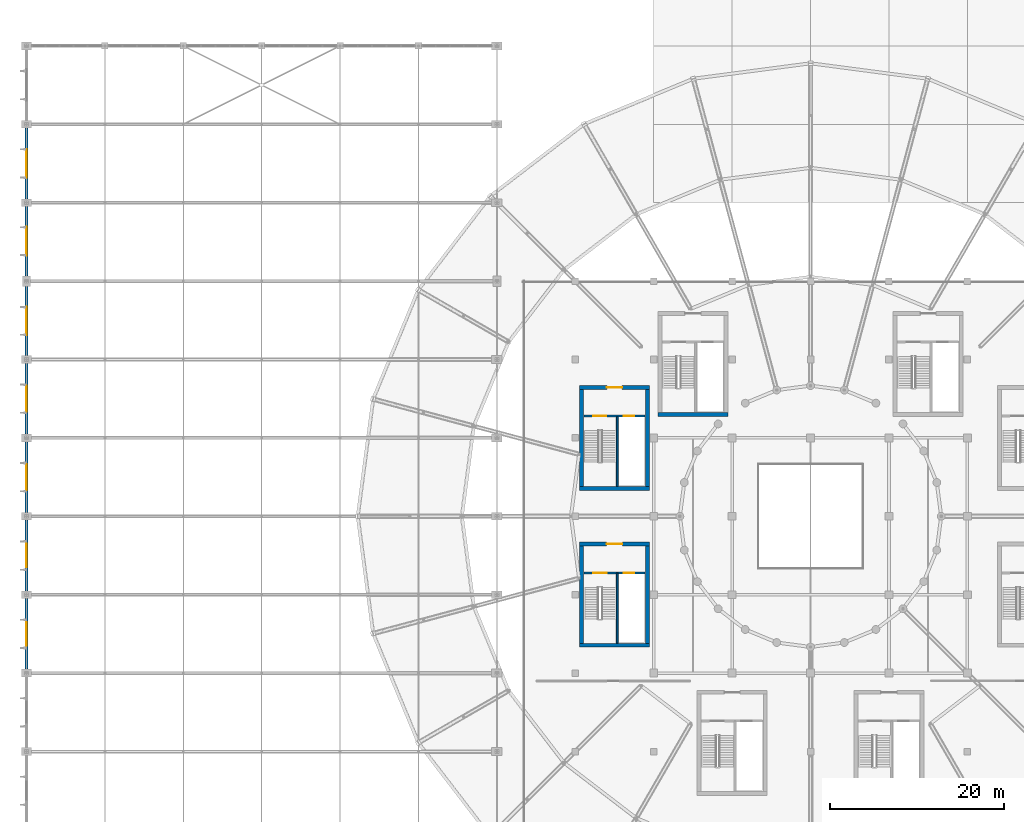
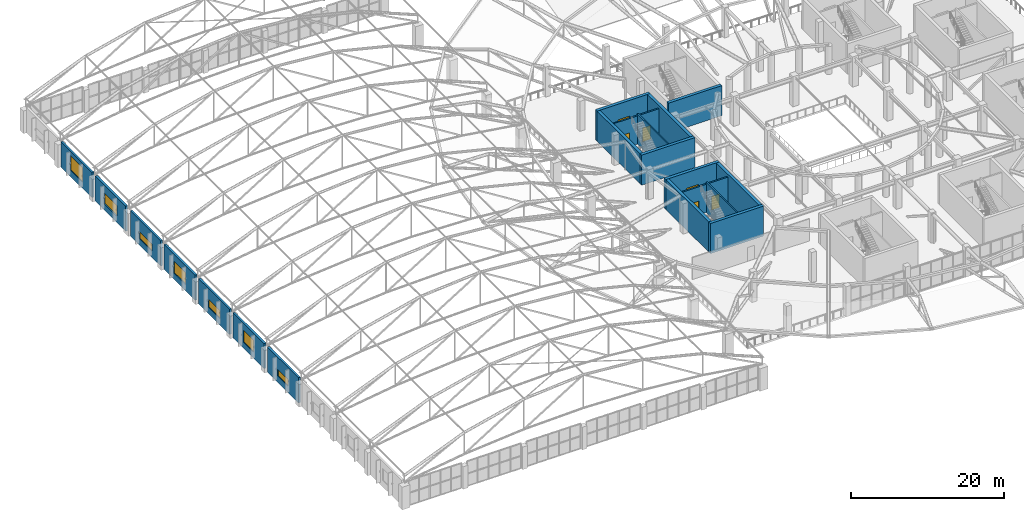
# One storey, part 140 of 167: 20 walls, 7 windows, 6 doors, 13 openings.
"""IFC4 building model written with IfcOpenShell, lengths in metres."""

import ifcopenshell
import ifcopenshell.guid

model = None  # the IFC model being written
_history = None  # IfcOwnerHistory: only IFC2X3 demands one
_inside = {}  # id of a spatial element -> (the spatial element, [elements in it])
_under = {}  # id of a project, library or spatial element -> (it, [spatial elements below it])
_declared = {}  # id of a project -> (the project, [libraries it declares])
_typed = {}  # id of a type object -> (the type object, [elements of that type])
_made_of = {}  # id of a material, layer set ... -> (it, [elements and type objects made of it])


def new_model(schema):
    """Start an empty IFC model of exactly this schema.

    Asked for "IFC4X3", IfcOpenShell would pick the latest addendum, in which some entities
    have other attributes; the version numbers below select the first issue.
    IFC2X3 requires an IfcOwnerHistory on every rooted entity: one is made here for all.
    """
    global model, _history
    if schema == "IFC4X3":
        model = ifcopenshell.file(schema_version=(4, 3, 0, 0))
    else:
        model = ifcopenshell.file(schema=schema)
    _inside.clear()
    _under.clear()
    _declared.clear()
    _typed.clear()
    _made_of.clear()
    _history = None
    if model.schema == "IFC2X3":
        org = make("IfcOrganization", Name="unknown")
        user = make(
            "IfcPersonAndOrganization",
            ThePerson=make("IfcPerson", FamilyName="unknown"),
            TheOrganization=org,
        )
        app = make(
            "IfcApplication",
            ApplicationDeveloper=org,
            Version="unknown",
            ApplicationFullName="unknown",
            ApplicationIdentifier="unknown",
        )
        _history = make(
            "IfcOwnerHistory",
            OwningUser=user,
            OwningApplication=app,
            ChangeAction="ADDED",
            CreationDate=0,
        )
    return model


def make(cls, **values):
    """One entity of the class cls with the attributes given. An attribute that is None is left unset."""
    return model.create_entity(
        cls, **{name: value for name, value in values.items() if value is not None}
    )


def rooted(cls, **values):
    """An entity with a GlobalId (a new one), such as an element, a storey or a relation."""
    return make(cls, GlobalId=ifcopenshell.guid.new(), OwnerHistory=_history, **values)


def si_unit(unit_type, name, prefix=None):
    """IfcSIUnit, for example si_unit("LENGTHUNIT", "METRE", prefix="MILLI")."""
    return make("IfcSIUnit", UnitType=unit_type, Prefix=prefix, Name=name)


def assignment(units):
    """IfcUnitAssignment: the units of a project."""
    return None if units is None else make("IfcUnitAssignment", Units=units)


def point(xyz):
    """IfcCartesianPoint."""
    return None if xyz is None else make("IfcCartesianPoint", Coordinates=xyz)


def direction(xyz):
    """IfcDirection."""
    return None if xyz is None else make("IfcDirection", DirectionRatios=xyz)


def frame(location, z_axis=None, x_axis=None):
    """IfcAxis2Placement3D, a coordinate frame: its origin and axes. An axis left out is left unset."""
    return make(
        "IfcAxis2Placement3D",
        Location=point(location),
        Axis=direction(z_axis),
        RefDirection=direction(x_axis),
    )


def frame_2d(location, x_axis=None):
    """IfcAxis2Placement2D, a coordinate frame in the plane: its origin and x axis."""
    return make(
        "IfcAxis2Placement2D", Location=point(location), RefDirection=direction(x_axis)
    )


def origin():
    """The frame at (0, 0, 0) with its axes left unset."""
    return frame((0.0, 0.0, 0.0))


def place(relative_to, where):
    """IfcLocalPlacement: puts the frame where relative to a parent placement (None: the world)."""
    return make(
        "IfcLocalPlacement", PlacementRelTo=relative_to, RelativePlacement=where
    )


def context(
    kind, dimensions, precision=None, world=None, true_north=None, identifier=None
):
    """IfcGeometricRepresentationContext, for example the 3D "Model" context."""
    return make(
        "IfcGeometricRepresentationContext",
        ContextIdentifier=identifier,
        ContextType=kind,
        CoordinateSpaceDimension=dimensions,
        Precision=precision,
        WorldCoordinateSystem=world,
        TrueNorth=true_north,
    )


def subcontext(parent, identifier, kind, view, scale=None):
    """IfcGeometricRepresentationSubContext, for example "Body" below "Model"."""
    return make(
        "IfcGeometricRepresentationSubContext",
        ContextIdentifier=identifier,
        ContextType=kind,
        ParentContext=parent,
        TargetScale=scale,
        TargetView=view,
    )


def project(units=None, contexts=None):
    """IfcProject with its units and contexts."""
    return rooted(
        "IfcProject",
        Name="project",
        RepresentationContexts=contexts,
        UnitsInContext=assignment(units),
    )


def spatial(cls, under=None, at=None, **own):
    """A site, building, storey or space (cls), placed at a placement, below another one or the project."""
    s = rooted(cls, ObjectPlacement=at, **own)
    if under is not None:
        _under.setdefault(under.id(), (under, []))[1].append(s)
    return s


def profile(cls, at=None, kind="AREA", **sizes):
    """A parametric profile (cls). Its sizes go by their IFC names, for example OverallWidth=200.0."""
    return make(cls, ProfileType=kind, Position=at, **sizes)


def rectangle(**sizes):
    """IfcRectangleProfileDef."""
    return profile("IfcRectangleProfileDef", **sizes)


def extrude(swept, where, along, depth):
    """IfcExtrudedAreaSolid: the profile swept, set in the frame where, extruded along a direction by depth."""
    return make(
        "IfcExtrudedAreaSolid",
        SweptArea=swept,
        Position=where,
        ExtrudedDirection=direction(along),
        Depth=depth,
    )


def shape(context_of_items, identifier, shape_type, items):
    """IfcShapeRepresentation: the items that make up one representation, for example the "Body"."""
    return make(
        "IfcShapeRepresentation",
        ContextOfItems=context_of_items,
        RepresentationIdentifier=identifier,
        RepresentationType=shape_type,
        Items=items,
    )


def material(Name=None, Category=None):
    """IfcMaterial."""
    return make("IfcMaterial", Name=Name, Category=Category)


def layer(
    of_material, thickness, ventilated=None, Name=None, Category=None, Priority=None
):
    """IfcMaterialLayer: one layer of a wall or slab, of a material (None: an air gap)."""
    return make(
        "IfcMaterialLayer",
        Material=of_material,
        LayerThickness=thickness,
        IsVentilated=ventilated,
        Name=Name,
        Category=Category,
        Priority=Priority,
    )


def layer_set(layers, Name=None):
    """IfcMaterialLayerSet."""
    return make("IfcMaterialLayerSet", MaterialLayers=layers, LayerSetName=Name)


def made_of(thing, what):
    """Note that an element or type object is made of a material, layer set ...; save() writes the relation."""
    if what is not None:
        _made_of.setdefault(what.id(), (what, []))[1].append(thing)
    return thing


def type_object(cls, material=None, **own):
    """A type object (cls), such as IfcWallType, which elements share."""
    return made_of(rooted(cls, **own), material)


def element(
    cls,
    number,
    at=None,
    inside=None,
    cuts=None,
    type_object=None,
    material=None,
    context=None,
    identifier="Body",
    shape_type=None,
    held_by="IfcProductDefinitionShape",
    body=None,
    shapes=None,
    **own,
):
    """One element of the class cls, such as IfcWall. Its Tag is "e" and its number.

    at: its placement. inside: the storey or other place that contains it. cuts: it is an
    opening in that element (IfcRelVoidsElement). A single representation is given by context,
    identifier, shape_type and body (its items); several are given by shapes. held_by: the class
    of the entity that holds the representations. save() writes the other relations.
    """
    e = rooted(cls, Tag="e%d" % number, ObjectPlacement=at, **own)
    if body is not None:
        shapes = [shape(context, identifier, shape_type, body)]
    if shapes is not None:
        e.Representation = make(held_by, Representations=shapes)
    if inside is not None:
        _inside.setdefault(inside.id(), (inside, []))[1].append(e)
    if cuts is not None:
        rooted(
            "IfcRelVoidsElement", RelatingBuildingElement=cuts, RelatedOpeningElement=e
        )
    if type_object is not None:
        _typed.setdefault(type_object.id(), (type_object, []))[1].append(e)
    return made_of(e, material)


def fill(opening, filler):
    """IfcRelFillsElement: the door or window that sits in an opening."""
    return rooted(
        "IfcRelFillsElement",
        RelatingOpeningElement=opening,
        RelatedBuildingElement=filler,
    )


def aggregate(whole, parts):
    """IfcRelAggregates: a whole, such as a stair, and the parts it consists of."""
    return rooted("IfcRelAggregates", RelatingObject=whole, RelatedObjects=parts)


def save(model, path):
    """Write the relations noted so far, then the file.

    IfcRelAggregates (storeys below a building ...), IfcRelContainedInSpatialStructure (elements
    in a storey), IfcRelDefinesByType, IfcRelAssociatesMaterial and IfcRelDeclares: one each for
    every whole, place, type object, material and project.
    """
    for whole, parts in _under.values():
        aggregate(whole, parts)
    for where, things in _inside.values():
        rooted(
            "IfcRelContainedInSpatialStructure",
            RelatedElements=things,
            RelatingStructure=where,
        )
    for kind, things in _typed.values():
        rooted("IfcRelDefinesByType", RelatedObjects=things, RelatingType=kind)
    for what, things in _made_of.values():
        rooted("IfcRelAssociatesMaterial", RelatedObjects=things, RelatingMaterial=what)
    for by, libraries in _declared.values():
        rooted("IfcRelDeclares", RelatingContext=by, RelatedDefinitions=libraries)
    model.write(path)


model = new_model("IFC4")

# Units and contexts
model_context = context("Model", 3, precision=1e-05, world=origin(), true_north=direction((0.0, 1.0)))
body_context = subcontext(model_context, "Body", "Model", "MODEL_VIEW")
ifc_project = project(units=[si_unit("LENGTHUNIT", "METRE"), si_unit("AREAUNIT", "SQUARE_METRE"), si_unit("VOLUMEUNIT", "CUBIC_METRE"), si_unit("PLANEANGLEUNIT", "RADIAN"), si_unit("MASSUNIT", "GRAM", prefix="KILO")], contexts=[model_context])

# Site, building, storey
site_placement = place(None, origin())
site = spatial("IfcSite", under=ifc_project, at=site_placement, CompositionType="ELEMENT")
building_placement = place(site_placement, origin())
building = spatial("IfcBuilding", under=site, at=building_placement, Name="Dornveld Trade and Exhibition Forum", CompositionType="ELEMENT")
storey_placement = place(building_placement, frame((0.0, 0.0, 16.800048828125)))
storey = spatial("IfcBuildingStorey", under=building, at=storey_placement, Name="L03", CompositionType="ELEMENT", Elevation=16.800048828125)

# Walls
ifc_material_1 = material(Name="Concrete C40/50", Category="concrete")
ifc_layer_1 = layer(ifc_material_1, 0.449951171875)
ifc_layer_set_1 = layer_set([ifc_layer_1], Name="Concrete C40/50")
wall_type_1 = type_object("IfcWallType", Name="WL-CORE-450", PredefinedType="SHEAR", material=ifc_layer_set_1)
for number, where, z_axis, x_axis, name in (
    (1, (99.47509765625, 92.699951171875, 0.0), (0.0, 0.0, 1.0), (1.0, 0.0, 0.0), "CORE-03 L03 shear wall S"),
    (2, (90.47509765625, 84.199951171875, 0.0), (0.0, 0.0, 1.0), (1.0, 0.0, 0.0), "CORE-04 L03 shear wall S"),
):
    element("IfcWall", number, at=place(storey_placement, frame(where, z_axis=z_axis, x_axis=x_axis)), inside=storey, type_object=wall_type_1, Name=name, PredefinedType="SHEAR", context=body_context, shape_type="SweptSolid", body=[
        extrude(rectangle(XDim=8.0498046875, YDim=0.449951171875, at=frame_2d((4.02490234375, 0.0))), origin(), (0.0, 0.0, 1.0), 4.800048828125),
    ])

# Wall, opening, door
wall_1_placement = place(storey_placement, frame((90.47509765625, 95.800048828125, 0.0), z_axis=(0.0, 0.0, 1.0), x_axis=(1.0, 0.0, 0.0)))
wall_1 = element("IfcWall", 3, at=wall_1_placement, inside=storey, type_object=wall_type_1, Name="CORE-04 L03 shear wall N", PredefinedType="SHEAR", context=body_context, shape_type="SweptSolid", body=[
    extrude(rectangle(XDim=8.0498046875, YDim=0.449951171875, at=frame_2d((4.02490234375, 0.0))), origin(), (0.0, 0.0, 1.0), 4.800048828125),
])
opening_1_placement = place(wall_1_placement, frame((3.14990234375, 0.0, 0.0)))
opening_1 = element("IfcOpeningElement", 4, at=opening_1_placement, cuts=wall_1, Name="Opening CD-04-L03", PredefinedType="OPENING", context=body_context, shape_type="SweptSolid", body=[
    extrude(rectangle(XDim=1.75, YDim=2.300048828125, at=frame_2d((0.875, 1.14990234375))), frame((0.0, 0.23486328125, 0.0), z_axis=(0.0, -1.0, 0.0), x_axis=(1.0, 0.0, 0.0)), (0.0, 0.0, 1.0), 0.469970703125),
])
ifc_material_2 = material(Name="Steel fire-rated double door assembly", Category="steel")
door_type_1 = type_object("IfcDoorType", Name="DR-CORE-175x230", OperationType="NOTDEFINED", PredefinedType="DOOR", material=ifc_material_2)
door_1_placement = place(opening_1_placement, origin())
door_1 = element("IfcDoor", 5, at=door_1_placement, inside=storey, type_object=door_type_1, Name="CORE-04 L03 core lobby double fire door", OperationType="DOUBLE_DOOR_SINGLE_SWING", OverallHeight=2.300048828125, OverallWidth=1.75, PredefinedType="DOOR", context=body_context, shape_type="SweptSolid", body=[
    extrude(rectangle(XDim=1.75, YDim=2.300048828125, at=frame_2d((0.875, 1.14990234375))), frame((0.0, 0.02490234375, 0.0), z_axis=(0.0, -1.0, 0.0), x_axis=(1.0, 0.0, 0.0)), (0.0, 0.0, 1.0), 0.050048828125),
])
fill(opening_1, door_1)

# Walls
for number, where, z_axis, x_axis, name in (
    (6, (90.699951171875, 84.425048828125, 0.0), (0.0, 0.0, 1.0), (0.0, 1.0, 0.0), "CORE-04 L03 shear wall W"),
    (7, (98.300048828125, 84.425048828125, 0.0), (0.0, 0.0, 1.0), (0.0, 1.0, 0.0), "CORE-04 L03 shear wall E"),
):
    element("IfcWall", number, at=place(storey_placement, frame(where, z_axis=z_axis, x_axis=x_axis)), inside=storey, type_object=wall_type_1, Name=name, PredefinedType="SHEAR", context=body_context, shape_type="SweptSolid", body=[
        extrude(rectangle(XDim=11.14990234375, YDim=0.449951171875, at=frame_2d((5.574951171875, 0.0))), origin(), (0.0, 0.0, 1.0), 4.800048828125),
    ])
wall_2_placement = place(storey_placement, frame((90.47509765625, 66.199951171875, 0.0), z_axis=(0.0, 0.0, 1.0), x_axis=(1.0, 0.0, 0.0)))
element("IfcWall", 8, at=wall_2_placement, inside=storey, type_object=wall_type_1, Name="CORE-05 L03 shear wall S", PredefinedType="SHEAR", context=body_context, shape_type="SweptSolid", body=[
    extrude(rectangle(XDim=8.0498046875, YDim=0.449951171875, at=frame_2d((4.02490234375, 0.0))), origin(), (0.0, 0.0, 1.0), 4.800048828125),
])

# Wall, opening, door
wall_3_placement = place(storey_placement, frame((90.47509765625, 77.800048828125, 0.0), z_axis=(0.0, 0.0, 1.0), x_axis=(1.0, 0.0, 0.0)))
wall_3 = element("IfcWall", 9, at=wall_3_placement, inside=storey, type_object=wall_type_1, Name="CORE-05 L03 shear wall N", PredefinedType="SHEAR", context=body_context, shape_type="SweptSolid", body=[
    extrude(rectangle(XDim=8.0498046875, YDim=0.449951171875, at=frame_2d((4.02490234375, 0.0))), origin(), (0.0, 0.0, 1.0), 4.800048828125),
])
opening_2_placement = place(wall_3_placement, frame((3.125, 0.0, 0.0)))
opening_2 = element("IfcOpeningElement", 10, at=opening_2_placement, cuts=wall_3, Name="Opening CD-05-L03", PredefinedType="OPENING", context=body_context, shape_type="SweptSolid", body=[
    extrude(rectangle(XDim=1.800048828125, YDim=2.300048828125, at=frame_2d((0.89990234375, 1.14990234375))), frame((0.0, 0.23486328125, 0.0), z_axis=(0.0, -1.0, 0.0), x_axis=(1.0, 0.0, 0.0)), (0.0, 0.0, 1.0), 0.469970703125),
])
ifc_material_3 = material(Name="Steel fire-rated double door assembly", Category="steel")
door_type_2 = type_object("IfcDoorType", Name="DR-CORE-180x230", OperationType="NOTDEFINED", PredefinedType="DOOR", material=ifc_material_3)
door_2_placement = place(opening_2_placement, origin())
door_2 = element("IfcDoor", 11, at=door_2_placement, inside=storey, type_object=door_type_2, Name="CORE-05 L03 core lobby double fire door", OperationType="DOUBLE_DOOR_SINGLE_SWING", OverallHeight=2.300048828125, OverallWidth=1.800048828125, PredefinedType="DOOR", context=body_context, shape_type="SweptSolid", body=[
    extrude(rectangle(XDim=1.800048828125, YDim=2.300048828125, at=frame_2d((0.89990234375, 1.14990234375))), frame((0.0, 0.02490234375, 0.0), z_axis=(0.0, -1.0, 0.0), x_axis=(1.0, 0.0, 0.0)), (0.0, 0.0, 1.0), 0.050048828125),
])
fill(opening_2, door_2)

# Walls
for number, where, z_axis, x_axis, name in (
    (12, (90.699951171875, 66.425048828125, 0.0), (0.0, 0.0, 1.0), (0.0, 1.0, 0.0), "CORE-05 L03 shear wall W"),
    (13, (98.300048828125, 66.425048828125, 0.0), (0.0, 0.0, 1.0), (0.0, 1.0, 0.0), "CORE-05 L03 shear wall E"),
):
    element("IfcWall", number, at=place(storey_placement, frame(where, z_axis=z_axis, x_axis=x_axis)), inside=storey, type_object=wall_type_1, Name=name, PredefinedType="SHEAR", context=body_context, shape_type="SweptSolid", body=[
        extrude(rectangle(XDim=11.14990234375, YDim=0.449951171875, at=frame_2d((5.574951171875, 0.0))), origin(), (0.0, 0.0, 1.0), 4.800048828125),
    ])

# Wall, opening, window
ifc_material_4 = material(Name="Precast concrete C50/60", Category="concrete")
ifc_layer_2 = layer(ifc_material_4, 0.31005859375)
ifc_layer_set_2 = layer_set([ifc_layer_2], Name="Precast concrete C50/60")
wall_type_2 = type_object("IfcWallType", Name="WL-EXT-PC310", PredefinedType="SOLIDWALL", material=ifc_layer_set_2)
wall_4_placement = place(storey_placement, frame((27.0, 71.550537109375, 0.0), z_axis=(0.0, 0.0, 1.0), x_axis=(0.0, -1.0, 0.0)))
wall_4 = element("IfcWall", 14, at=wall_4_placement, inside=storey, type_object=wall_type_2, Name="L03 precast facade wall 51", PredefinedType="SOLIDWALL", context=body_context, shape_type="SweptSolid", body=[
    extrude(rectangle(XDim=8.10107421875, YDim=0.31005859375, at=frame_2d((4.050537109375, 0.0))), origin(), (0.0, 0.0, 1.0), 4.02001953125),
])
opening_3_placement = place(wall_4_placement, frame((2.700439453125, 0.0, 1.0)))
opening_3 = element("IfcOpeningElement", 15, at=opening_3_placement, cuts=wall_4, Name="Opening W-36", PredefinedType="OPENING", context=body_context, shape_type="SweptSolid", body=[
    extrude(rectangle(XDim=2.699951171875, YDim=1.10009765625, at=frame_2d((1.35009765625, 0.550048828125))), frame((0.0, 0.1650390625, 0.0), z_axis=(0.0, -1.0, 0.0), x_axis=(1.0, 0.0, 0.0)), (0.0, 0.0, 1.0), 0.330078125),
])
ifc_material_5 = material(Name="Dark-bronze anodised aluminium and low-E glass", Category="aluminium")
window_type_1 = type_object("IfcWindowType", Name="WIN-AL-36", PartitioningType="DOUBLE_PANEL_VERTICAL", PredefinedType="WINDOW", material=ifc_material_5)
window_1_placement = place(opening_3_placement, origin())
window_1 = element("IfcWindow", 16, at=window_1_placement, inside=storey, type_object=window_type_1, Name="L03 facade window 36", OverallHeight=1.10009765625, OverallWidth=2.699951171875, PartitioningType="SINGLE_PANEL", PredefinedType="WINDOW", context=body_context, shape_type="SweptSolid", body=[
    extrude(rectangle(XDim=2.699951171875, YDim=1.10009765625, at=frame_2d((1.35009765625, 0.550048828125))), frame((0.0, 0.030029296875, 0.0), z_axis=(0.0, -1.0, 0.0), x_axis=(1.0, 0.0, 0.0)), (0.0, 0.0, 1.0), 0.06005859375),
])
fill(opening_3, window_1)

wall_5_placement = place(storey_placement, frame((27.0, 80.550537109375, 0.0), z_axis=(0.0, 0.0, 1.0), x_axis=(0.0, -1.0, 0.0)))
wall_5 = element("IfcWall", 17, at=wall_5_placement, inside=storey, type_object=wall_type_2, Name="L03 precast facade wall 55", PredefinedType="SOLIDWALL", context=body_context, shape_type="SweptSolid", body=[
    extrude(rectangle(XDim=8.10107421875, YDim=0.31005859375, at=frame_2d((4.050537109375, 0.0))), origin(), (0.0, 0.0, 1.0), 4.02001953125),
])
opening_4_placement = place(wall_5_placement, frame((2.700439453125, 0.0, 1.0)))
opening_4 = element("IfcOpeningElement", 18, at=opening_4_placement, cuts=wall_5, Name="Opening W-40", PredefinedType="OPENING", context=body_context, shape_type="SweptSolid", body=[
    extrude(rectangle(XDim=2.699951171875, YDim=1.89990234375, at=frame_2d((1.35009765625, 0.949951171875))), frame((0.0, 0.1650390625, 0.0), z_axis=(0.0, -1.0, 0.0), x_axis=(1.0, 0.0, 0.0)), (0.0, 0.0, 1.0), 0.330078125),
])
ifc_material_6 = material(Name="Dark-bronze anodised aluminium and low-E glass", Category="aluminium")
window_type_2 = type_object("IfcWindowType", Name="WIN-AL-40", PartitioningType="DOUBLE_PANEL_VERTICAL", PredefinedType="WINDOW", material=ifc_material_6)
window_2_placement = place(opening_4_placement, origin())
window_2 = element("IfcWindow", 19, at=window_2_placement, inside=storey, type_object=window_type_2, Name="L03 facade window 40", OverallHeight=1.89990234375, OverallWidth=2.699951171875, PartitioningType="SINGLE_PANEL", PredefinedType="WINDOW", context=body_context, shape_type="SweptSolid", body=[
    extrude(rectangle(XDim=2.699951171875, YDim=1.89990234375, at=frame_2d((1.35009765625, 0.949951171875))), frame((0.0, 0.030029296875, 0.0), z_axis=(0.0, -1.0, 0.0), x_axis=(1.0, 0.0, 0.0)), (0.0, 0.0, 1.0), 0.06005859375),
])
fill(opening_4, window_2)

wall_6_placement = place(storey_placement, frame((27.0, 89.550537109375, 0.0), z_axis=(0.0, 0.0, 1.0), x_axis=(0.0, -1.0, 0.0)))
wall_6 = element("IfcWall", 20, at=wall_6_placement, inside=storey, type_object=wall_type_2, Name="L03 precast facade wall 59", PredefinedType="SOLIDWALL", context=body_context, shape_type="SweptSolid", body=[
    extrude(rectangle(XDim=8.10107421875, YDim=0.31005859375, at=frame_2d((4.050537109375, 0.0))), origin(), (0.0, 0.0, 1.0), 4.02001953125),
])
opening_5_placement = place(wall_6_placement, frame((2.550537109375, 0.0, 1.0)))
opening_5 = element("IfcOpeningElement", 21, at=opening_5_placement, cuts=wall_6, Name="Opening W-44", PredefinedType="OPENING", context=body_context, shape_type="SweptSolid", body=[
    extrude(rectangle(XDim=3.0, YDim=1.300048828125, at=frame_2d((1.5, 0.64990234375))), frame((0.0, 0.1650390625, 0.0), z_axis=(0.0, -1.0, 0.0), x_axis=(1.0, 0.0, 0.0)), (0.0, 0.0, 1.0), 0.330078125),
])
ifc_material_7 = material(Name="Dark-bronze anodised aluminium and low-E glass", Category="aluminium")
window_type_3 = type_object("IfcWindowType", Name="WIN-AL-44", PartitioningType="DOUBLE_PANEL_VERTICAL", PredefinedType="WINDOW", material=ifc_material_7)
window_3_placement = place(opening_5_placement, origin())
window_3 = element("IfcWindow", 22, at=window_3_placement, inside=storey, type_object=window_type_3, Name="L03 facade window 44", OverallHeight=1.300048828125, OverallWidth=3.0, PartitioningType="SINGLE_PANEL", PredefinedType="WINDOW", context=body_context, shape_type="SweptSolid", body=[
    extrude(rectangle(XDim=3.0, YDim=1.300048828125, at=frame_2d((1.5, 0.64990234375))), frame((0.0, 0.030029296875, 0.0), z_axis=(0.0, -1.0, 0.0), x_axis=(1.0, 0.0, 0.0)), (0.0, 0.0, 1.0), 0.06005859375),
])
fill(opening_5, window_3)

wall_7_placement = place(storey_placement, frame((27.0, 98.550537109375, 0.0), z_axis=(0.0, 0.0, 1.0), x_axis=(0.0, -1.0, 0.0)))
wall_7 = element("IfcWall", 23, at=wall_7_placement, inside=storey, type_object=wall_type_2, Name="L03 precast facade wall 63", PredefinedType="SOLIDWALL", context=body_context, shape_type="SweptSolid", body=[
    extrude(rectangle(XDim=8.10107421875, YDim=0.31005859375, at=frame_2d((4.050537109375, 0.0))), origin(), (0.0, 0.0, 1.0), 4.02001953125),
])
opening_6_placement = place(wall_7_placement, frame((2.550537109375, 0.0, 1.0)))
opening_6 = element("IfcOpeningElement", 24, at=opening_6_placement, cuts=wall_7, Name="Opening W-47", PredefinedType="OPENING", context=body_context, shape_type="SweptSolid", body=[
    extrude(rectangle(XDim=3.0, YDim=1.89990234375, at=frame_2d((1.5, 0.949951171875))), frame((0.0, 0.1650390625, 0.0), z_axis=(0.0, -1.0, 0.0), x_axis=(1.0, 0.0, 0.0)), (0.0, 0.0, 1.0), 0.330078125),
])
ifc_material_8 = material(Name="Dark-bronze anodised aluminium and low-E glass", Category="aluminium")
window_type_4 = type_object("IfcWindowType", Name="WIN-AL-47", PartitioningType="DOUBLE_PANEL_VERTICAL", PredefinedType="WINDOW", material=ifc_material_8)
window_4_placement = place(opening_6_placement, origin())
window_4 = element("IfcWindow", 25, at=window_4_placement, inside=storey, type_object=window_type_4, Name="L03 facade window 47", OverallHeight=1.89990234375, OverallWidth=3.0, PartitioningType="SINGLE_PANEL", PredefinedType="WINDOW", context=body_context, shape_type="SweptSolid", body=[
    extrude(rectangle(XDim=3.0, YDim=1.89990234375, at=frame_2d((1.5, 0.949951171875))), frame((0.0, 0.030029296875, 0.0), z_axis=(0.0, -1.0, 0.0), x_axis=(1.0, 0.0, 0.0)), (0.0, 0.0, 1.0), 0.06005859375),
])
fill(opening_6, window_4)

wall_8_placement = place(storey_placement, frame((27.0, 107.400390625, 0.0), z_axis=(0.0, 0.0, 1.0), x_axis=(0.0, -1.0, 0.0)))
wall_8 = element("IfcWall", 26, at=wall_8_placement, inside=storey, type_object=wall_type_2, Name="L03 precast facade wall 67", PredefinedType="SOLIDWALL", context=body_context, shape_type="SweptSolid", body=[
    extrude(rectangle(XDim=7.950927734375, YDim=0.31005859375, at=frame_2d((3.9755859375, 0.0))), origin(), (0.0, 0.0, 1.0), 4.02001953125),
])
opening_7_placement = place(wall_8_placement, frame((2.325439453125, 0.0, 1.0)))
opening_7 = element("IfcOpeningElement", 27, at=opening_7_placement, cuts=wall_8, Name="Opening W-50", PredefinedType="OPENING", context=body_context, shape_type="SweptSolid", body=[
    extrude(rectangle(XDim=3.300048828125, YDim=1.10009765625, at=frame_2d((1.64990234375, 0.550048828125))), frame((0.0, 0.1650390625, 0.0), z_axis=(0.0, -1.0, 0.0), x_axis=(1.0, 0.0, 0.0)), (0.0, 0.0, 1.0), 0.330078125),
])
ifc_material_9 = material(Name="Dark-bronze anodised aluminium and low-E glass", Category="aluminium")
window_type_5 = type_object("IfcWindowType", Name="WIN-AL-50", PartitioningType="DOUBLE_PANEL_VERTICAL", PredefinedType="WINDOW", material=ifc_material_9)
window_5_placement = place(opening_7_placement, origin())
window_5 = element("IfcWindow", 28, at=window_5_placement, inside=storey, type_object=window_type_5, Name="L03 facade window 50", OverallHeight=1.10009765625, OverallWidth=3.300048828125, PartitioningType="SINGLE_PANEL", PredefinedType="WINDOW", context=body_context, shape_type="SweptSolid", body=[
    extrude(rectangle(XDim=3.300048828125, YDim=1.10009765625, at=frame_2d((1.64990234375, 0.550048828125))), frame((0.0, 0.030029296875, 0.0), z_axis=(0.0, -1.0, 0.0), x_axis=(1.0, 0.0, 0.0)), (0.0, 0.0, 1.0), 0.06005859375),
])
fill(opening_7, window_5)

wall_9_placement = place(storey_placement, frame((27.0, 116.550537109375, 0.0), z_axis=(0.0, 0.0, 1.0), x_axis=(0.0, -1.0, 0.0)))
wall_9 = element("IfcWall", 29, at=wall_9_placement, inside=storey, type_object=wall_type_2, Name="L03 precast facade wall 71", PredefinedType="SOLIDWALL", context=body_context, shape_type="SweptSolid", body=[
    extrude(rectangle(XDim=7.950927734375, YDim=0.31005859375, at=frame_2d((3.9755859375, 0.0))), origin(), (0.0, 0.0, 1.0), 4.02001953125),
])
opening_8_placement = place(wall_9_placement, frame((2.325439453125, 0.0, 1.0)))
opening_8 = element("IfcOpeningElement", 30, at=opening_8_placement, cuts=wall_9, Name="Opening W-53", PredefinedType="OPENING", context=body_context, shape_type="SweptSolid", body=[
    extrude(rectangle(XDim=3.300048828125, YDim=1.699951171875, at=frame_2d((1.64990234375, 0.85009765625))), frame((0.0, 0.1650390625, 0.0), z_axis=(0.0, -1.0, 0.0), x_axis=(1.0, 0.0, 0.0)), (0.0, 0.0, 1.0), 0.330078125),
])
ifc_material_10 = material(Name="Dark-bronze anodised aluminium and low-E glass", Category="aluminium")
window_type_6 = type_object("IfcWindowType", Name="WIN-AL-53", PartitioningType="DOUBLE_PANEL_VERTICAL", PredefinedType="WINDOW", material=ifc_material_10)
window_6_placement = place(opening_8_placement, origin())
window_6 = element("IfcWindow", 31, at=window_6_placement, inside=storey, type_object=window_type_6, Name="L03 facade window 53", OverallHeight=1.699951171875, OverallWidth=3.300048828125, PartitioningType="SINGLE_PANEL", PredefinedType="WINDOW", context=body_context, shape_type="SweptSolid", body=[
    extrude(rectangle(XDim=3.300048828125, YDim=1.699951171875, at=frame_2d((1.64990234375, 0.85009765625))), frame((0.0, 0.030029296875, 0.0), z_axis=(0.0, -1.0, 0.0), x_axis=(1.0, 0.0, 0.0)), (0.0, 0.0, 1.0), 0.06005859375),
])
fill(opening_8, window_6)

wall_10_placement = place(storey_placement, frame((27.0, 125.550537109375, 0.0), z_axis=(0.0, 0.0, 1.0), x_axis=(0.0, -1.0, 0.0)))
wall_10 = element("IfcWall", 32, at=wall_10_placement, inside=storey, type_object=wall_type_2, Name="L03 precast facade wall 75", PredefinedType="SOLIDWALL", context=body_context, shape_type="SweptSolid", body=[
    extrude(rectangle(XDim=8.10107421875, YDim=0.31005859375, at=frame_2d((4.050537109375, 0.0))), origin(), (0.0, 0.0, 1.0), 4.02001953125),
])
opening_9_placement = place(wall_10_placement, frame((2.400390625, 0.0, 1.0)))
opening_9 = element("IfcOpeningElement", 33, at=opening_9_placement, cuts=wall_10, Name="Opening W-56", PredefinedType="OPENING", context=body_context, shape_type="SweptSolid", body=[
    extrude(rectangle(XDim=3.300048828125, YDim=2.300048828125, at=frame_2d((1.64990234375, 1.14990234375))), frame((0.0, 0.1650390625, 0.0), z_axis=(0.0, -1.0, 0.0), x_axis=(1.0, 0.0, 0.0)), (0.0, 0.0, 1.0), 0.330078125),
])
ifc_material_11 = material(Name="Dark-bronze anodised aluminium and low-E glass", Category="aluminium")
window_type_7 = type_object("IfcWindowType", Name="WIN-AL-56", PartitioningType="DOUBLE_PANEL_VERTICAL", PredefinedType="WINDOW", material=ifc_material_11)
window_7_placement = place(opening_9_placement, origin())
window_7 = element("IfcWindow", 34, at=window_7_placement, inside=storey, type_object=window_type_7, Name="L03 facade window 56", OverallHeight=2.300048828125, OverallWidth=3.300048828125, PartitioningType="SINGLE_PANEL", PredefinedType="WINDOW", context=body_context, shape_type="SweptSolid", body=[
    extrude(rectangle(XDim=3.300048828125, YDim=2.300048828125, at=frame_2d((1.64990234375, 1.14990234375))), frame((0.0, 0.030029296875, 0.0), z_axis=(0.0, -1.0, 0.0), x_axis=(1.0, 0.0, 0.0)), (0.0, 0.0, 1.0), 0.06005859375),
])
fill(opening_9, window_7)

# Wall, openings, doors
ifc_material_12 = material(Name="Concrete C40/50", Category="concrete")
ifc_layer_3 = layer(ifc_material_12, 0.219970703125)
ifc_layer_set_3 = layer_set([ifc_layer_3], Name="Concrete C40/50")
wall_type_3 = type_object("IfcWallType", Name="WL-INT-LOB220", PredefinedType="SOLIDWALL", material=ifc_layer_set_3)
wall_11_placement = place(storey_placement, frame((91.0, 92.5, 0.0), z_axis=(0.0, 0.0, 1.0), x_axis=(1.0, 0.0, 0.0)))
wall_11 = element("IfcWall", 35, at=wall_11_placement, inside=storey, type_object=wall_type_3, Name="CORE-04 L03 protected lobby bulkhead wall", PredefinedType="SOLIDWALL", context=body_context, shape_type="SweptSolid", body=[
    extrude(rectangle(XDim=7.0, YDim=0.219970703125, at=frame_2d((3.5, 0.0))), origin(), (0.0, 0.0, 1.0), 4.489990234375),
])
opening_10_placement = place(wall_11_placement, frame((1.050048828125, 0.0, 0.0)))
opening_10 = element("IfcOpeningElement", 36, at=opening_10_placement, cuts=wall_11, Name="Opening SD-04-L03", PredefinedType="OPENING", context=body_context, shape_type="SweptSolid", body=[
    extrude(rectangle(XDim=1.5, YDim=2.199951171875, at=frame_2d((0.75, 1.10009765625))), frame((0.0, 0.119873046875, 0.0), z_axis=(0.0, -1.0, 0.0), x_axis=(1.0, 0.0, 0.0)), (0.0, 0.0, 1.0), 0.239990234375),
])
opening_11_placement = place(wall_11_placement, frame((4.550048828125, 0.0, 0.0)))
opening_11 = element("IfcOpeningElement", 37, at=opening_11_placement, cuts=wall_11, Name="Opening LD-04-L03", PredefinedType="OPENING", context=body_context, shape_type="SweptSolid", body=[
    extrude(rectangle(XDim=1.199951171875, YDim=2.199951171875, at=frame_2d((0.60009765625, 1.10009765625))), frame((0.0, 0.119873046875, 0.0), z_axis=(0.0, -1.0, 0.0), x_axis=(1.0, 0.0, 0.0)), (0.0, 0.0, 1.0), 0.239990234375),
])
ifc_material_13 = material(Name="Brushed stainless steel sliding lift landing door", Category="steel")
door_type_3 = type_object("IfcDoorType", Name="DR-LIFT-120x220", OperationType="NOTDEFINED", PredefinedType="DOOR", material=ifc_material_13)
door_3_placement = place(opening_11_placement, origin())
door_3 = element("IfcDoor", 38, at=door_3_placement, inside=storey, type_object=door_type_3, Name="CORE-04 L03 lift sliding landing door", OperationType="SLIDING_TO_RIGHT", OverallHeight=2.199951171875, OverallWidth=1.199951171875, PredefinedType="DOOR", context=body_context, shape_type="SweptSolid", body=[
    extrude(rectangle(XDim=1.199951171875, YDim=2.199951171875, at=frame_2d((0.60009765625, 1.10009765625))), frame((0.0, 0.02490234375, 0.0), z_axis=(0.0, -1.0, 0.0), x_axis=(1.0, 0.0, 0.0)), (0.0, 0.0, 1.0), 0.050048828125),
])
fill(opening_11, door_3)
ifc_material_14 = material(Name="Steel fire-rated stair door assembly", Category="steel")
door_type_4 = type_object("IfcDoorType", Name="DR-STAIR-150x220", OperationType="NOTDEFINED", PredefinedType="DOOR", material=ifc_material_14)
door_4_placement = place(opening_10_placement, origin())
door_4 = element("IfcDoor", 39, at=door_4_placement, inside=storey, type_object=door_type_4, Name="CORE-04 L03 protected stair door", OperationType="SINGLE_SWING_RIGHT", OverallHeight=2.199951171875, OverallWidth=1.5, PredefinedType="DOOR", context=body_context, shape_type="SweptSolid", body=[
    extrude(rectangle(XDim=1.5, YDim=2.199951171875, at=frame_2d((0.75, 1.10009765625))), frame((0.0, 0.02490234375, 0.0), z_axis=(0.0, -1.0, 0.0), x_axis=(1.0, 0.0, 0.0)), (0.0, 0.0, 1.0), 0.050048828125),
])
fill(opening_10, door_4)

wall_12_placement = place(storey_placement, frame((91.0, 74.5, 0.0), z_axis=(0.0, 0.0, 1.0), x_axis=(1.0, 0.0, 0.0)))
wall_12 = element("IfcWall", 40, at=wall_12_placement, inside=storey, type_object=wall_type_3, Name="CORE-05 L03 protected lobby bulkhead wall", PredefinedType="SOLIDWALL", context=body_context, shape_type="SweptSolid", body=[
    extrude(rectangle(XDim=7.0, YDim=0.219970703125, at=frame_2d((3.5, 0.0))), origin(), (0.0, 0.0, 1.0), 4.489990234375),
])
opening_12_placement = place(wall_12_placement, frame((1.050048828125, 0.0, 0.0)))
opening_12 = element("IfcOpeningElement", 41, at=opening_12_placement, cuts=wall_12, Name="Opening SD-05-L03", PredefinedType="OPENING", context=body_context, shape_type="SweptSolid", body=[
    extrude(rectangle(XDim=1.550048828125, YDim=2.199951171875, at=frame_2d((0.77490234375, 1.10009765625))), frame((0.0, 0.119873046875, 0.0), z_axis=(0.0, -1.0, 0.0), x_axis=(1.0, 0.0, 0.0)), (0.0, 0.0, 1.0), 0.239990234375),
])
opening_13_placement = place(wall_12_placement, frame((4.550048828125, 0.0, 0.0)))
opening_13 = element("IfcOpeningElement", 42, at=opening_13_placement, cuts=wall_12, Name="Opening LD-05-L03", PredefinedType="OPENING", context=body_context, shape_type="SweptSolid", body=[
    extrude(rectangle(XDim=1.199951171875, YDim=2.199951171875, at=frame_2d((0.60009765625, 1.10009765625))), frame((0.0, 0.119873046875, 0.0), z_axis=(0.0, -1.0, 0.0), x_axis=(1.0, 0.0, 0.0)), (0.0, 0.0, 1.0), 0.239990234375),
])
door_5_placement = place(opening_13_placement, origin())
door_5 = element("IfcDoor", 43, at=door_5_placement, inside=storey, type_object=door_type_3, Name="CORE-05 L03 lift sliding landing door", OperationType="SLIDING_TO_LEFT", OverallHeight=2.199951171875, OverallWidth=1.199951171875, PredefinedType="DOOR", context=body_context, shape_type="SweptSolid", body=[
    extrude(rectangle(XDim=1.199951171875, YDim=2.199951171875, at=frame_2d((0.60009765625, 1.10009765625))), frame((0.0, 0.02490234375, 0.0), z_axis=(0.0, -1.0, 0.0), x_axis=(1.0, 0.0, 0.0)), (0.0, 0.0, 1.0), 0.050048828125),
])
fill(opening_13, door_5)
ifc_material_15 = material(Name="Steel fire-rated stair door assembly", Category="steel")
door_type_5 = type_object("IfcDoorType", Name="DR-STAIR-155x220", OperationType="NOTDEFINED", PredefinedType="DOOR", material=ifc_material_15)
door_6_placement = place(opening_12_placement, origin())
door_6 = element("IfcDoor", 44, at=door_6_placement, inside=storey, type_object=door_type_5, Name="CORE-05 L03 protected stair door", OperationType="SINGLE_SWING_LEFT", OverallHeight=2.199951171875, OverallWidth=1.550048828125, PredefinedType="DOOR", context=body_context, shape_type="SweptSolid", body=[
    extrude(rectangle(XDim=1.550048828125, YDim=2.199951171875, at=frame_2d((0.77490234375, 1.10009765625))), frame((0.0, 0.02490234375, 0.0), z_axis=(0.0, -1.0, 0.0), x_axis=(1.0, 0.0, 0.0)), (0.0, 0.0, 1.0), 0.050048828125),
])
fill(opening_12, door_6)

# Walls
ifc_material_16 = material(Name="Concrete C40/50", Category="concrete")
ifc_layer_4 = layer(ifc_material_16, 0.199951171875)
ifc_layer_set_4 = layer_set([ifc_layer_4], Name="Concrete C40/50")
wall_type_4 = type_object("IfcWallType", Name="WL-INT-SHAFT200", PredefinedType="SOLIDWALL", material=ifc_layer_set_4)
for number, where, z_axis, x_axis, name in (
    (45, (94.820068359375, 84.449951171875, 0.0), (0.0, 0.0, 1.0), (0.0, 1.0, 0.0), "CORE-04 L03 lift-stair structural shaft wall"),
    (46, (94.820068359375, 66.449951171875, 0.0), (0.0, 0.0, 1.0), (0.0, 1.0, 0.0), "CORE-05 L03 lift-stair structural shaft wall"),
):
    element("IfcWall", number, at=place(storey_placement, frame(where, z_axis=z_axis, x_axis=x_axis)), inside=storey, type_object=wall_type_4, Name=name, PredefinedType="SOLIDWALL", context=body_context, shape_type="SweptSolid", body=[
        extrude(rectangle(XDim=8.0, YDim=0.199951171875, at=frame_2d((4.0, 0.0))), origin(), (0.0, 0.0, 1.0), 4.800048828125),
    ])

save(model, "model.ifc")
